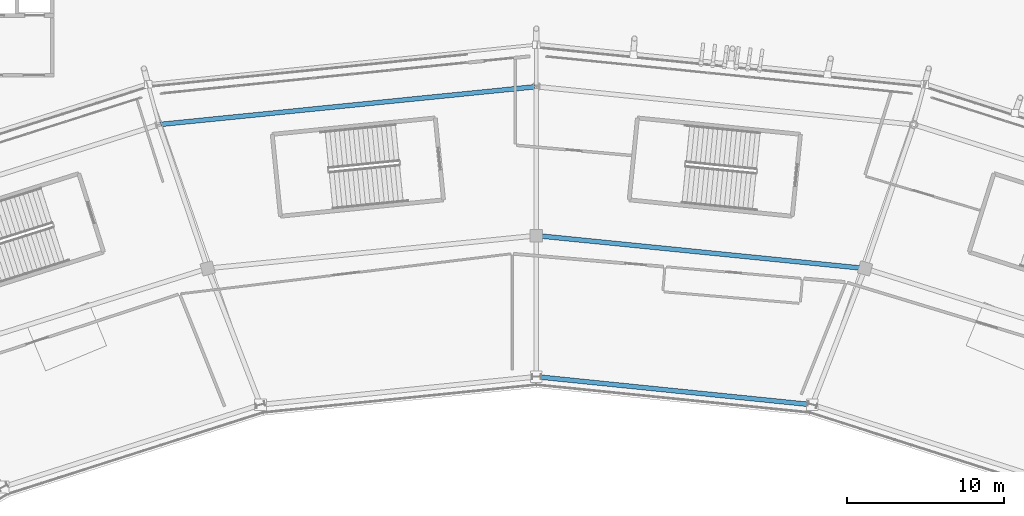
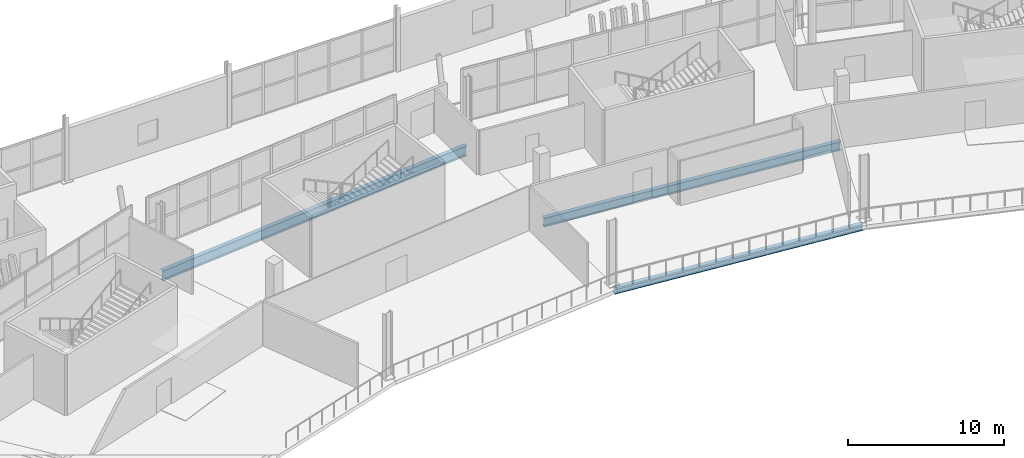
# One storey, part 76 of 179: 3 beams.
"""IFC4 building model written with IfcOpenShell, lengths in metres."""

import ifcopenshell
import ifcopenshell.guid

model = None  # the IFC model being written
_history = None  # IfcOwnerHistory: only IFC2X3 demands one
_inside = {}  # id of a spatial element -> (the spatial element, [elements in it])
_under = {}  # id of a project, library or spatial element -> (it, [spatial elements below it])
_declared = {}  # id of a project -> (the project, [libraries it declares])
_typed = {}  # id of a type object -> (the type object, [elements of that type])
_made_of = {}  # id of a material, layer set ... -> (it, [elements and type objects made of it])


def new_model(schema):
    """Start an empty IFC model of exactly this schema.

    Asked for "IFC4X3", IfcOpenShell would pick the latest addendum, in which some entities
    have other attributes; the version numbers below select the first issue.
    IFC2X3 requires an IfcOwnerHistory on every rooted entity: one is made here for all.
    """
    global model, _history
    if schema == "IFC4X3":
        model = ifcopenshell.file(schema_version=(4, 3, 0, 0))
    else:
        model = ifcopenshell.file(schema=schema)
    _inside.clear()
    _under.clear()
    _declared.clear()
    _typed.clear()
    _made_of.clear()
    _history = None
    if model.schema == "IFC2X3":
        org = make("IfcOrganization", Name="unknown")
        user = make(
            "IfcPersonAndOrganization",
            ThePerson=make("IfcPerson", FamilyName="unknown"),
            TheOrganization=org,
        )
        app = make(
            "IfcApplication",
            ApplicationDeveloper=org,
            Version="unknown",
            ApplicationFullName="unknown",
            ApplicationIdentifier="unknown",
        )
        _history = make(
            "IfcOwnerHistory",
            OwningUser=user,
            OwningApplication=app,
            ChangeAction="ADDED",
            CreationDate=0,
        )
    return model


def make(cls, **values):
    """One entity of the class cls with the attributes given. An attribute that is None is left unset."""
    return model.create_entity(
        cls, **{name: value for name, value in values.items() if value is not None}
    )


def rooted(cls, **values):
    """An entity with a GlobalId (a new one), such as an element, a storey or a relation."""
    return make(cls, GlobalId=ifcopenshell.guid.new(), OwnerHistory=_history, **values)


def si_unit(unit_type, name, prefix=None):
    """IfcSIUnit, for example si_unit("LENGTHUNIT", "METRE", prefix="MILLI")."""
    return make("IfcSIUnit", UnitType=unit_type, Prefix=prefix, Name=name)


def assignment(units):
    """IfcUnitAssignment: the units of a project."""
    return None if units is None else make("IfcUnitAssignment", Units=units)


def point(xyz):
    """IfcCartesianPoint."""
    return None if xyz is None else make("IfcCartesianPoint", Coordinates=xyz)


def direction(xyz):
    """IfcDirection."""
    return None if xyz is None else make("IfcDirection", DirectionRatios=xyz)


def frame(location, z_axis=None, x_axis=None):
    """IfcAxis2Placement3D, a coordinate frame: its origin and axes. An axis left out is left unset."""
    return make(
        "IfcAxis2Placement3D",
        Location=point(location),
        Axis=direction(z_axis),
        RefDirection=direction(x_axis),
    )


def frame_2d(location, x_axis=None):
    """IfcAxis2Placement2D, a coordinate frame in the plane: its origin and x axis."""
    return make(
        "IfcAxis2Placement2D", Location=point(location), RefDirection=direction(x_axis)
    )


def origin():
    """The frame at (0, 0, 0) with its axes left unset."""
    return frame((0.0, 0.0, 0.0))


def origin_2d():
    """The frame at (0, 0) in the plane with its x axis left unset."""
    return frame_2d((0.0, 0.0))


def place(relative_to, where):
    """IfcLocalPlacement: puts the frame where relative to a parent placement (None: the world)."""
    return make(
        "IfcLocalPlacement", PlacementRelTo=relative_to, RelativePlacement=where
    )


def context(
    kind, dimensions, precision=None, world=None, true_north=None, identifier=None
):
    """IfcGeometricRepresentationContext, for example the 3D "Model" context."""
    return make(
        "IfcGeometricRepresentationContext",
        ContextIdentifier=identifier,
        ContextType=kind,
        CoordinateSpaceDimension=dimensions,
        Precision=precision,
        WorldCoordinateSystem=world,
        TrueNorth=true_north,
    )


def subcontext(parent, identifier, kind, view, scale=None):
    """IfcGeometricRepresentationSubContext, for example "Body" below "Model"."""
    return make(
        "IfcGeometricRepresentationSubContext",
        ContextIdentifier=identifier,
        ContextType=kind,
        ParentContext=parent,
        TargetScale=scale,
        TargetView=view,
    )


def project(units=None, contexts=None):
    """IfcProject with its units and contexts."""
    return rooted(
        "IfcProject",
        Name="project",
        RepresentationContexts=contexts,
        UnitsInContext=assignment(units),
    )


def spatial(cls, under=None, at=None, **own):
    """A site, building, storey or space (cls), placed at a placement, below another one or the project."""
    s = rooted(cls, ObjectPlacement=at, **own)
    if under is not None:
        _under.setdefault(under.id(), (under, []))[1].append(s)
    return s


def profile(cls, at=None, kind="AREA", **sizes):
    """A parametric profile (cls). Its sizes go by their IFC names, for example OverallWidth=200.0."""
    return make(cls, ProfileType=kind, Position=at, **sizes)


def i_section(**sizes):
    """IfcIShapeProfileDef."""
    return profile("IfcIShapeProfileDef", **sizes)


def extrude(swept, where, along, depth):
    """IfcExtrudedAreaSolid: the profile swept, set in the frame where, extruded along a direction by depth."""
    return make(
        "IfcExtrudedAreaSolid",
        SweptArea=swept,
        Position=where,
        ExtrudedDirection=direction(along),
        Depth=depth,
    )


def shape(context_of_items, identifier, shape_type, items):
    """IfcShapeRepresentation: the items that make up one representation, for example the "Body"."""
    return make(
        "IfcShapeRepresentation",
        ContextOfItems=context_of_items,
        RepresentationIdentifier=identifier,
        RepresentationType=shape_type,
        Items=items,
    )


def material(Name=None, Category=None):
    """IfcMaterial."""
    return make("IfcMaterial", Name=Name, Category=Category)


def material_profile(
    of_material, cross_section, Name=None, Category=None, Priority=None
):
    """IfcMaterialProfile: a cross section and its material."""
    return make(
        "IfcMaterialProfile",
        Name=Name,
        Material=of_material,
        Profile=cross_section,
        Priority=Priority,
        Category=Category,
    )


def profile_set(profiles, Name=None, composite=None):
    """IfcMaterialProfileSet."""
    return make(
        "IfcMaterialProfileSet",
        Name=Name,
        MaterialProfiles=profiles,
        CompositeProfile=composite,
    )


def made_of(thing, what):
    """Note that an element or type object is made of a material, layer set ...; save() writes the relation."""
    if what is not None:
        _made_of.setdefault(what.id(), (what, []))[1].append(thing)
    return thing


def type_object(cls, material=None, **own):
    """A type object (cls), such as IfcWallType, which elements share."""
    return made_of(rooted(cls, **own), material)


def element(
    cls,
    number,
    at=None,
    inside=None,
    cuts=None,
    type_object=None,
    material=None,
    context=None,
    identifier="Body",
    shape_type=None,
    held_by="IfcProductDefinitionShape",
    body=None,
    shapes=None,
    **own,
):
    """One element of the class cls, such as IfcWall. Its Tag is "e" and its number.

    at: its placement. inside: the storey or other place that contains it. cuts: it is an
    opening in that element (IfcRelVoidsElement). A single representation is given by context,
    identifier, shape_type and body (its items); several are given by shapes. held_by: the class
    of the entity that holds the representations. save() writes the other relations.
    """
    e = rooted(cls, Tag="e%d" % number, ObjectPlacement=at, **own)
    if body is not None:
        shapes = [shape(context, identifier, shape_type, body)]
    if shapes is not None:
        e.Representation = make(held_by, Representations=shapes)
    if inside is not None:
        _inside.setdefault(inside.id(), (inside, []))[1].append(e)
    if cuts is not None:
        rooted(
            "IfcRelVoidsElement", RelatingBuildingElement=cuts, RelatedOpeningElement=e
        )
    if type_object is not None:
        _typed.setdefault(type_object.id(), (type_object, []))[1].append(e)
    return made_of(e, material)


def aggregate(whole, parts):
    """IfcRelAggregates: a whole, such as a stair, and the parts it consists of."""
    return rooted("IfcRelAggregates", RelatingObject=whole, RelatedObjects=parts)


def save(model, path):
    """Write the relations noted so far, then the file.

    IfcRelAggregates (storeys below a building ...), IfcRelContainedInSpatialStructure (elements
    in a storey), IfcRelDefinesByType, IfcRelAssociatesMaterial and IfcRelDeclares: one each for
    every whole, place, type object, material and project.
    """
    for whole, parts in _under.values():
        aggregate(whole, parts)
    for where, things in _inside.values():
        rooted(
            "IfcRelContainedInSpatialStructure",
            RelatedElements=things,
            RelatingStructure=where,
        )
    for kind, things in _typed.values():
        rooted("IfcRelDefinesByType", RelatedObjects=things, RelatingType=kind)
    for what, things in _made_of.values():
        rooted("IfcRelAssociatesMaterial", RelatedObjects=things, RelatingMaterial=what)
    for by, libraries in _declared.values():
        rooted("IfcRelDeclares", RelatingContext=by, RelatedDefinitions=libraries)
    model.write(path)


model = new_model("IFC4")

# Units and contexts
model_context = context("Model", 3, precision=1e-05, world=origin(), true_north=direction((0.0, 1.0)))
body_context = subcontext(model_context, "Body", "Model", "MODEL_VIEW")
ifc_project = project(units=[si_unit("LENGTHUNIT", "METRE"), si_unit("AREAUNIT", "SQUARE_METRE"), si_unit("VOLUMEUNIT", "CUBIC_METRE"), si_unit("PLANEANGLEUNIT", "RADIAN"), si_unit("MASSUNIT", "GRAM", prefix="KILO")], contexts=[model_context])

# Site, building, storey
site_placement = place(None, origin())
site = spatial("IfcSite", under=ifc_project, at=site_placement, CompositionType="ELEMENT")
building_placement = place(site_placement, origin())
building = spatial("IfcBuilding", under=site, at=building_placement, Name="Zlatoyarsky Gate Stadium", CompositionType="ELEMENT")
storey_placement = place(building_placement, frame((0.0, 0.0, 10.60009765625)))
storey = spatial("IfcBuildingStorey", under=building, at=storey_placement, Name="L02", CompositionType="ELEMENT", Elevation=10.60009765625)

# Beams
ifc_material = material(Name="Steel S355", Category="steel")
ifc_material_profile_1 = material_profile(ifc_material, i_section(OverallWidth=0.300048828125, OverallDepth=0.5, WebThickness=0.014404296875, FlangeThickness=0.028076171875, FilletRadius=0.027099609375, at=origin_2d()), Name="HEB 500")
ifc_profile_set_1 = profile_set([ifc_material_profile_1], Name="Steel S355")
beam_type_1 = type_object("IfcBeamType", Name="STEEL PRIMARY GIRDER HEB 500", PredefinedType="BEAM", material=ifc_profile_set_1)
beam_1_placement = place(storey_placement, frame((128.480224609375, 130.72314453125, -0.530029296875), z_axis=(-0.994873800639, 0.101124283941, 0.0), x_axis=(-0.101124283941, -0.994873800639, 0.0)))
element("IfcBeam", 1, at=beam_1_placement, inside=storey, type_object=beam_type_1, Name="Beam G-HEB500 BM-L02-CRA-05", PredefinedType="BEAM", context=body_context, shape_type="SweptSolid", body=[
    extrude(i_section(OverallWidth=0.300048828125, OverallDepth=0.5, WebThickness=0.014404296875, FlangeThickness=0.028076171875, FilletRadius=0.027099609375, at=origin_2d()), origin(), (0.0, 0.0, 1.0), 17.4501953125),
])
ifc_material_profile_2 = material_profile(ifc_material, i_section(OverallWidth=0.300048828125, OverallDepth=0.699951171875, WebThickness=0.01708984375, FlangeThickness=0.031982421875, FilletRadius=0.027099609375, at=origin_2d()), Name="HEB 700")
ifc_profile_set_2 = profile_set([ifc_material_profile_2], Name="Steel S355")
beam_type_2 = type_object("IfcBeamType", Name="STEEL PRIMARY GIRDER HEB 700", PredefinedType="BEAM", material=ifc_profile_set_2)
beam_2_placement = place(storey_placement, frame((131.844970703125, 139.416259765625, -0.630126953125), z_axis=(-0.995040903182, 0.099466582298, 0.0), x_axis=(-0.099466582298, -0.995040903182, 0.0)))
element("IfcBeam", 2, at=beam_2_placement, inside=storey, type_object=beam_type_2, Name="Beam G-HEB700 BM-L02-CRB-05", PredefinedType="BEAM", context=body_context, shape_type="SweptSolid", body=[
    extrude(i_section(OverallWidth=0.300048828125, OverallDepth=0.699951171875, WebThickness=0.01708984375, FlangeThickness=0.031982421875, FilletRadius=0.027099609375, at=origin_2d()), origin(), (0.0, 0.0, 1.0), 20.828857421875),
])
ifc_material_profile_3 = material_profile(ifc_material, i_section(OverallWidth=0.300048828125, OverallDepth=0.800048828125, WebThickness=0.017578125, FlangeThickness=0.032958984375, FilletRadius=0.030029296875, at=origin_2d()), Name="HEB 800")
ifc_profile_set_3 = profile_set([ifc_material_profile_3], Name="Steel S355")
beam_type_3 = type_object("IfcBeamType", Name="STEEL PRIMARY GIRDER HEB 800", PredefinedType="BEAM", material=ifc_profile_set_3)
beam_3_placement = place(storey_placement, frame((110.880615234375, 150.988037109375, -0.68017578125), z_axis=(-0.994986905268, -0.100005291586, 0.0), x_axis=(0.100005291586, -0.994986905268, 0.0)))
element("IfcBeam", 3, at=beam_3_placement, inside=storey, type_object=beam_type_3, Name="Beam G-HEB800 BM-L02-CRC-06", PredefinedType="BEAM", context=body_context, shape_type="SweptSolid", body=[
    extrude(i_section(OverallWidth=0.300048828125, OverallDepth=0.800048828125, WebThickness=0.017578125, FlangeThickness=0.032958984375, FilletRadius=0.030029296875, at=origin_2d()), origin(), (0.0, 0.0, 1.0), 23.951416015625),
])

save(model, "model.ifc")
